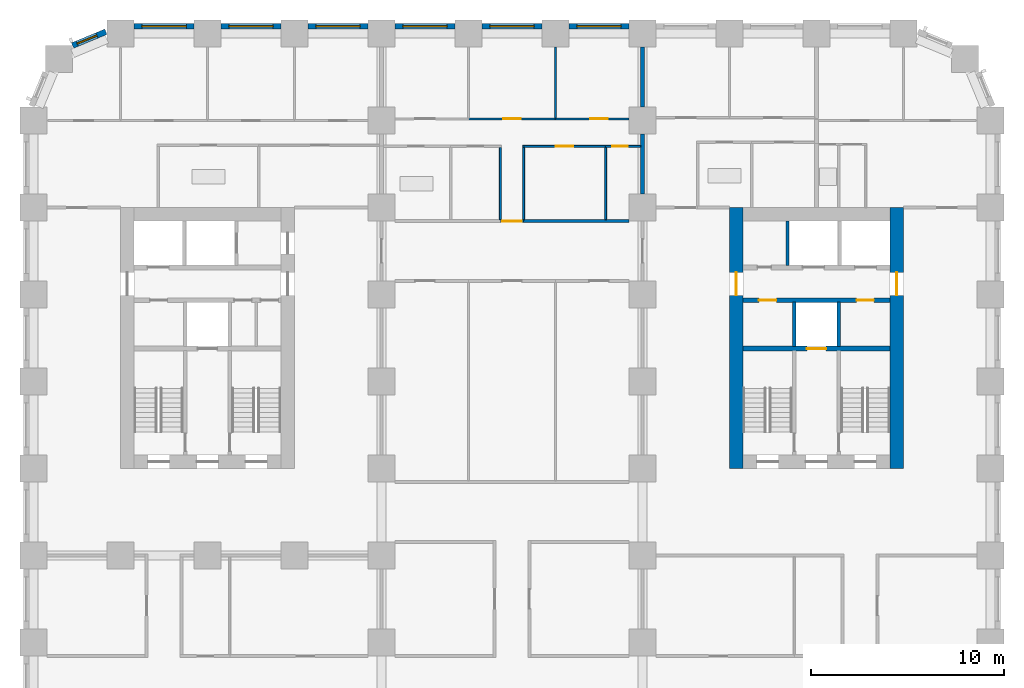
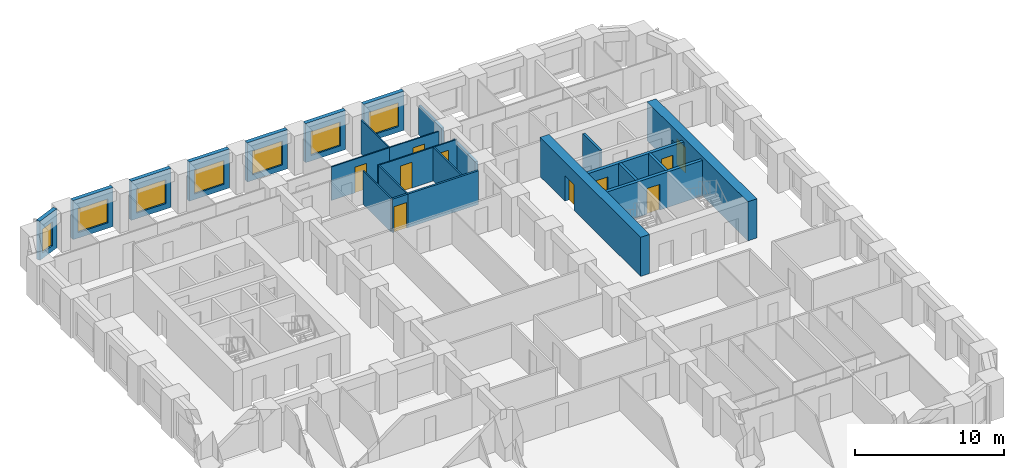
# One storey, part 8 of 13: 26 walls, 10 doors, 7 windows, 17 openings.
"""IFC4 building model written with IfcOpenShell, lengths in metres."""

import ifcopenshell
import ifcopenshell.guid

model = None  # the IFC model being written
_history = None  # IfcOwnerHistory: only IFC2X3 demands one
_inside = {}  # id of a spatial element -> (the spatial element, [elements in it])
_under = {}  # id of a project, library or spatial element -> (it, [spatial elements below it])
_declared = {}  # id of a project -> (the project, [libraries it declares])
_typed = {}  # id of a type object -> (the type object, [elements of that type])
_made_of = {}  # id of a material, layer set ... -> (it, [elements and type objects made of it])


def new_model(schema):
    """Start an empty IFC model of exactly this schema.

    Asked for "IFC4X3", IfcOpenShell would pick the latest addendum, in which some entities
    have other attributes; the version numbers below select the first issue.
    IFC2X3 requires an IfcOwnerHistory on every rooted entity: one is made here for all.
    """
    global model, _history
    if schema == "IFC4X3":
        model = ifcopenshell.file(schema_version=(4, 3, 0, 0))
    else:
        model = ifcopenshell.file(schema=schema)
    _inside.clear()
    _under.clear()
    _declared.clear()
    _typed.clear()
    _made_of.clear()
    _history = None
    if model.schema == "IFC2X3":
        org = make("IfcOrganization", Name="unknown")
        user = make(
            "IfcPersonAndOrganization",
            ThePerson=make("IfcPerson", FamilyName="unknown"),
            TheOrganization=org,
        )
        app = make(
            "IfcApplication",
            ApplicationDeveloper=org,
            Version="unknown",
            ApplicationFullName="unknown",
            ApplicationIdentifier="unknown",
        )
        _history = make(
            "IfcOwnerHistory",
            OwningUser=user,
            OwningApplication=app,
            ChangeAction="ADDED",
            CreationDate=0,
        )
    return model


def make(cls, **values):
    """One entity of the class cls with the attributes given. An attribute that is None is left unset."""
    return model.create_entity(
        cls, **{name: value for name, value in values.items() if value is not None}
    )


def rooted(cls, **values):
    """An entity with a GlobalId (a new one), such as an element, a storey or a relation."""
    return make(cls, GlobalId=ifcopenshell.guid.new(), OwnerHistory=_history, **values)


def si_unit(unit_type, name, prefix=None):
    """IfcSIUnit, for example si_unit("LENGTHUNIT", "METRE", prefix="MILLI")."""
    return make("IfcSIUnit", UnitType=unit_type, Prefix=prefix, Name=name)


def assignment(units):
    """IfcUnitAssignment: the units of a project."""
    return None if units is None else make("IfcUnitAssignment", Units=units)


def point(xyz):
    """IfcCartesianPoint."""
    return None if xyz is None else make("IfcCartesianPoint", Coordinates=xyz)


def direction(xyz):
    """IfcDirection."""
    return None if xyz is None else make("IfcDirection", DirectionRatios=xyz)


def frame(location, z_axis=None, x_axis=None):
    """IfcAxis2Placement3D, a coordinate frame: its origin and axes. An axis left out is left unset."""
    return make(
        "IfcAxis2Placement3D",
        Location=point(location),
        Axis=direction(z_axis),
        RefDirection=direction(x_axis),
    )


def frame_2d(location, x_axis=None):
    """IfcAxis2Placement2D, a coordinate frame in the plane: its origin and x axis."""
    return make(
        "IfcAxis2Placement2D", Location=point(location), RefDirection=direction(x_axis)
    )


def origin():
    """The frame at (0, 0, 0) with its axes left unset."""
    return frame((0.0, 0.0, 0.0))


def place(relative_to, where):
    """IfcLocalPlacement: puts the frame where relative to a parent placement (None: the world)."""
    return make(
        "IfcLocalPlacement", PlacementRelTo=relative_to, RelativePlacement=where
    )


def context(
    kind, dimensions, precision=None, world=None, true_north=None, identifier=None
):
    """IfcGeometricRepresentationContext, for example the 3D "Model" context."""
    return make(
        "IfcGeometricRepresentationContext",
        ContextIdentifier=identifier,
        ContextType=kind,
        CoordinateSpaceDimension=dimensions,
        Precision=precision,
        WorldCoordinateSystem=world,
        TrueNorth=true_north,
    )


def subcontext(parent, identifier, kind, view, scale=None):
    """IfcGeometricRepresentationSubContext, for example "Body" below "Model"."""
    return make(
        "IfcGeometricRepresentationSubContext",
        ContextIdentifier=identifier,
        ContextType=kind,
        ParentContext=parent,
        TargetScale=scale,
        TargetView=view,
    )


def project(units=None, contexts=None):
    """IfcProject with its units and contexts."""
    return rooted(
        "IfcProject",
        Name="project",
        RepresentationContexts=contexts,
        UnitsInContext=assignment(units),
    )


def spatial(cls, under=None, at=None, **own):
    """A site, building, storey or space (cls), placed at a placement, below another one or the project."""
    s = rooted(cls, ObjectPlacement=at, **own)
    if under is not None:
        _under.setdefault(under.id(), (under, []))[1].append(s)
    return s


def profile(cls, at=None, kind="AREA", **sizes):
    """A parametric profile (cls). Its sizes go by their IFC names, for example OverallWidth=200.0."""
    return make(cls, ProfileType=kind, Position=at, **sizes)


def rectangle(**sizes):
    """IfcRectangleProfileDef."""
    return profile("IfcRectangleProfileDef", **sizes)


def extrude(swept, where, along, depth):
    """IfcExtrudedAreaSolid: the profile swept, set in the frame where, extruded along a direction by depth."""
    return make(
        "IfcExtrudedAreaSolid",
        SweptArea=swept,
        Position=where,
        ExtrudedDirection=direction(along),
        Depth=depth,
    )


def shape(context_of_items, identifier, shape_type, items):
    """IfcShapeRepresentation: the items that make up one representation, for example the "Body"."""
    return make(
        "IfcShapeRepresentation",
        ContextOfItems=context_of_items,
        RepresentationIdentifier=identifier,
        RepresentationType=shape_type,
        Items=items,
    )


def material(Name=None, Category=None):
    """IfcMaterial."""
    return make("IfcMaterial", Name=Name, Category=Category)


def layer(
    of_material, thickness, ventilated=None, Name=None, Category=None, Priority=None
):
    """IfcMaterialLayer: one layer of a wall or slab, of a material (None: an air gap)."""
    return make(
        "IfcMaterialLayer",
        Material=of_material,
        LayerThickness=thickness,
        IsVentilated=ventilated,
        Name=Name,
        Category=Category,
        Priority=Priority,
    )


def layer_set(layers, Name=None):
    """IfcMaterialLayerSet."""
    return make("IfcMaterialLayerSet", MaterialLayers=layers, LayerSetName=Name)


def made_of(thing, what):
    """Note that an element or type object is made of a material, layer set ...; save() writes the relation."""
    if what is not None:
        _made_of.setdefault(what.id(), (what, []))[1].append(thing)
    return thing


def type_object(cls, material=None, **own):
    """A type object (cls), such as IfcWallType, which elements share."""
    return made_of(rooted(cls, **own), material)


def element(
    cls,
    number,
    at=None,
    inside=None,
    cuts=None,
    type_object=None,
    material=None,
    context=None,
    identifier="Body",
    shape_type=None,
    held_by="IfcProductDefinitionShape",
    body=None,
    shapes=None,
    **own,
):
    """One element of the class cls, such as IfcWall. Its Tag is "e" and its number.

    at: its placement. inside: the storey or other place that contains it. cuts: it is an
    opening in that element (IfcRelVoidsElement). A single representation is given by context,
    identifier, shape_type and body (its items); several are given by shapes. held_by: the class
    of the entity that holds the representations. save() writes the other relations.
    """
    e = rooted(cls, Tag="e%d" % number, ObjectPlacement=at, **own)
    if body is not None:
        shapes = [shape(context, identifier, shape_type, body)]
    if shapes is not None:
        e.Representation = make(held_by, Representations=shapes)
    if inside is not None:
        _inside.setdefault(inside.id(), (inside, []))[1].append(e)
    if cuts is not None:
        rooted(
            "IfcRelVoidsElement", RelatingBuildingElement=cuts, RelatedOpeningElement=e
        )
    if type_object is not None:
        _typed.setdefault(type_object.id(), (type_object, []))[1].append(e)
    return made_of(e, material)


def fill(opening, filler):
    """IfcRelFillsElement: the door or window that sits in an opening."""
    return rooted(
        "IfcRelFillsElement",
        RelatingOpeningElement=opening,
        RelatedBuildingElement=filler,
    )


def aggregate(whole, parts):
    """IfcRelAggregates: a whole, such as a stair, and the parts it consists of."""
    return rooted("IfcRelAggregates", RelatingObject=whole, RelatedObjects=parts)


def save(model, path):
    """Write the relations noted so far, then the file.

    IfcRelAggregates (storeys below a building ...), IfcRelContainedInSpatialStructure (elements
    in a storey), IfcRelDefinesByType, IfcRelAssociatesMaterial and IfcRelDeclares: one each for
    every whole, place, type object, material and project.
    """
    for whole, parts in _under.values():
        aggregate(whole, parts)
    for where, things in _inside.values():
        rooted(
            "IfcRelContainedInSpatialStructure",
            RelatedElements=things,
            RelatingStructure=where,
        )
    for kind, things in _typed.values():
        rooted("IfcRelDefinesByType", RelatedObjects=things, RelatingType=kind)
    for what, things in _made_of.values():
        rooted("IfcRelAssociatesMaterial", RelatedObjects=things, RelatingMaterial=what)
    for by, libraries in _declared.values():
        rooted("IfcRelDeclares", RelatingContext=by, RelatedDefinitions=libraries)
    model.write(path)


model = new_model("IFC4")

# Units and contexts
model_context = context("Model", 3, precision=1e-05, world=origin(), true_north=direction((0.0, 1.0)))
body_context = subcontext(model_context, "Body", "Model", "MODEL_VIEW")
ifc_project = project(units=[si_unit("LENGTHUNIT", "METRE"), si_unit("AREAUNIT", "SQUARE_METRE"), si_unit("VOLUMEUNIT", "CUBIC_METRE"), si_unit("PLANEANGLEUNIT", "RADIAN"), si_unit("MASSUNIT", "GRAM", prefix="KILO")], contexts=[model_context])

# Site, building, storey
site_placement = place(None, origin())
site = spatial("IfcSite", under=ifc_project, at=site_placement, CompositionType="ELEMENT")
building_placement = place(site_placement, origin())
building = spatial("IfcBuilding", under=site, at=building_placement, Name="Girih Gate Residences", CompositionType="ELEMENT")
storey_placement = place(building_placement, frame((0.0, 0.0, 49.60009765625)))
storey = spatial("IfcBuildingStorey", under=building, at=storey_placement, Name="L12", CompositionType="ELEMENT", Elevation=49.60009765625)

# Wall, opening, door
ifc_material_1 = material(Name="Gypsum board on steel studs", Category="steel")
ifc_layer_1 = layer(ifc_material_1, 0.14990234375)
ifc_layer_set_1 = layer_set([ifc_layer_1], Name="Compartment wall 150 mm")
wall_type_1 = type_object("IfcWallType", Name="Compartment wall 150 mm", PredefinedType="PARTITIONING", material=ifc_layer_set_1)
wall_1_placement = place(storey_placement, frame((24.14990234375, 39.800048828125, 0.0), z_axis=(0.0, 0.0, 1.0), x_axis=(1.0, 0.0, 0.0)))
wall_1 = element("IfcWall", 1, at=wall_1_placement, inside=storey, type_object=wall_type_1, Name="L12 partition", PredefinedType="PARTITIONING", context=body_context, shape_type="SweptSolid", body=[
    extrude(rectangle(XDim=1.2001953125, YDim=0.14990234375, at=frame_2d((0.60009765625, 0.0))), origin(), (0.0, 0.0, 1.0), 2.75),
])
opening_1_placement = place(wall_1_placement, frame((0.10009765625, 0.0, 0.0)))
opening_1 = element("IfcOpeningElement", 2, at=opening_1_placement, cuts=wall_1, Name="Opening A12-046", PredefinedType="OPENING", context=body_context, shape_type="SweptSolid", body=[
    extrude(rectangle(XDim=1.0, YDim=2.10009765625, at=frame_2d((0.5, 1.050048828125))), frame((0.0, 0.0849609375, 0.0), z_axis=(0.0, -1.0, 0.0), x_axis=(1.0, 0.0, 0.0)), (0.0, 0.0, 1.0), 0.169921875),
])
ifc_material_2 = material(Name="Timber, fire-rated core", Category="wood")
door_type_1 = type_object("IfcDoorType", Name="Flat entrance door 1000x2100 FD30S", OperationType="NOTDEFINED", PredefinedType="DOOR", material=ifc_material_2)
door_1_placement = place(opening_1_placement, origin())
door_1 = element("IfcDoor", 3, at=door_1_placement, inside=storey, type_object=door_type_1, Name="Door A12-046", OperationType="SINGLE_SWING_RIGHT", OverallHeight=2.10009765625, OverallWidth=1.0, PredefinedType="DOOR", context=body_context, shape_type="SweptSolid", body=[
    extrude(rectangle(XDim=1.0, YDim=2.10009765625, at=frame_2d((0.5, 1.050048828125))), frame((0.0, 0.02490234375, 0.0), z_axis=(0.0, -1.0, 0.0), x_axis=(1.0, 0.0, 0.0)), (0.0, 0.0, 1.0), 0.050048828125),
])
fill(opening_1, door_1)

# Wall
wall_2_placement = place(storey_placement, frame((25.35009765625, 39.800048828125, 0.0), z_axis=(0.0, 0.0, 1.0), x_axis=(1.0, 0.0, 0.0)))
element("IfcWall", 4, at=wall_2_placement, inside=storey, type_object=wall_type_1, Name="L12 partition", PredefinedType="PARTITIONING", context=body_context, shape_type="SweptSolid", body=[
    extrude(rectangle(XDim=5.449951171875, YDim=0.14990234375, at=frame_2d((2.72509765625, 0.0))), origin(), (0.0, 0.0, 1.0), 2.75),
])

# Wall, opening, door
ifc_material_3 = material(Name="Concrete C60/75", Category="concrete")
ifc_layer_2 = layer(ifc_material_3, 0.699951171875)
ifc_layer_set_2 = layer_set([ifc_layer_2], Name="Core wall RC 700 Concrete C60/75")
wall_type_2 = type_object("IfcWallType", Name="Core wall RC 700 Concrete C60/75", PredefinedType="SOLIDWALL", material=ifc_layer_set_2)
wall_3_placement = place(storey_placement, frame((36.35009765625, 27.0, 0.0), z_axis=(0.0, 0.0, 1.0), x_axis=(0.0, 1.0, 0.0)))
wall_3 = element("IfcWall", 5, at=wall_3_placement, inside=storey, type_object=wall_type_2, Name="Core wall E-W L12", PredefinedType="SOLIDWALL", context=body_context, shape_type="SweptSolid", body=[
    extrude(rectangle(XDim=13.5, YDim=0.699951171875, at=frame_2d((6.75, 0.0))), origin(), (0.0, 0.0, 1.0), 3.199951171875),
])
opening_2_placement = place(wall_3_placement, frame((8.949951171875, 0.0, 0.0)))
opening_2 = element("IfcOpeningElement", 6, at=opening_2_placement, cuts=wall_3, Name="Opening D-L12-E-012", PredefinedType="OPENING", context=body_context, shape_type="SweptSolid", body=[
    extrude(rectangle(XDim=1.199951171875, YDim=2.10009765625, at=frame_2d((0.60009765625, 1.050048828125))), frame((0.0, 0.35986328125, 0.0), z_axis=(0.0, -1.0, 0.0), x_axis=(1.0, 0.0, 0.0)), (0.0, 0.0, 1.0), 0.719970703125),
])
ifc_material_4 = material(Name="Painted steel, fire-resisting", Category="steel")
door_type_2 = type_object("IfcDoorType", Name="Fire door 1200x2100", OperationType="SINGLE_SWING_LEFT", PredefinedType="DOOR", material=ifc_material_4)
door_2_placement = place(opening_2_placement, origin())
door_2 = element("IfcDoor", 7, at=door_2_placement, inside=storey, type_object=door_type_2, Name="L12 E core door ll-w", OperationType="SINGLE_SWING_LEFT", OverallHeight=2.10009765625, OverallWidth=1.199951171875, PredefinedType="DOOR", context=body_context, shape_type="SweptSolid", body=[
    extrude(rectangle(XDim=1.199951171875, YDim=2.10009765625, at=frame_2d((0.60009765625, 1.050048828125))), frame((0.0, 0.02490234375, 0.0), z_axis=(0.0, -1.0, 0.0), x_axis=(1.0, 0.0, 0.0)), (0.0, 0.0, 1.0), 0.050048828125),
])
fill(opening_2, door_2)

wall_4_placement = place(storey_placement, frame((44.64990234375, 27.0, 0.0), z_axis=(0.0, 0.0, 1.0), x_axis=(0.0, 1.0, 0.0)))
wall_4 = element("IfcWall", 8, at=wall_4_placement, inside=storey, type_object=wall_type_2, Name="Core wall E-E L12", PredefinedType="SOLIDWALL", context=body_context, shape_type="SweptSolid", body=[
    extrude(rectangle(XDim=13.5, YDim=0.699951171875, at=frame_2d((6.75, 0.0))), origin(), (0.0, 0.0, 1.0), 3.199951171875),
])
opening_3_placement = place(wall_4_placement, frame((8.949951171875, 0.0, 0.0)))
opening_3 = element("IfcOpeningElement", 9, at=opening_3_placement, cuts=wall_4, Name="Opening D-L12-E-013", PredefinedType="OPENING", context=body_context, shape_type="SweptSolid", body=[
    extrude(rectangle(XDim=1.199951171875, YDim=2.10009765625, at=frame_2d((0.60009765625, 1.050048828125))), frame((0.0, 0.35986328125, 0.0), z_axis=(0.0, -1.0, 0.0), x_axis=(1.0, 0.0, 0.0)), (0.0, 0.0, 1.0), 0.719970703125),
])
door_3_placement = place(opening_3_placement, origin())
door_3 = element("IfcDoor", 10, at=door_3_placement, inside=storey, type_object=door_type_2, Name="L12 E core door ll-e", OperationType="SINGLE_SWING_LEFT", OverallHeight=2.10009765625, OverallWidth=1.199951171875, PredefinedType="DOOR", context=body_context, shape_type="SweptSolid", body=[
    extrude(rectangle(XDim=1.199951171875, YDim=2.10009765625, at=frame_2d((0.60009765625, 1.050048828125))), frame((0.0, 0.02490234375, 0.0), z_axis=(0.0, -1.0, 0.0), x_axis=(1.0, 0.0, 0.0)), (0.0, 0.0, 1.0), 0.050048828125),
])
fill(opening_3, door_3)

ifc_material_5 = material(Name="Concrete C40/50", Category="concrete")
ifc_layer_3 = layer(ifc_material_5, 0.25)
ifc_layer_set_3 = layer_set([ifc_layer_3], Name="Lift shaft wall 250")
wall_type_3 = type_object("IfcWallType", Name="Lift shaft wall 250", PredefinedType="SOLIDWALL", material=ifc_layer_set_3)
wall_5_placement = place(storey_placement, frame((36.699951171875, 33.199951171875, 0.0), z_axis=(0.0, 0.0, 1.0), x_axis=(1.0, 0.0, 0.0)))
wall_5 = element("IfcWall", 11, at=wall_5_placement, inside=storey, type_object=wall_type_3, Name="L12 E core wall H1", PredefinedType="SOLIDWALL", context=body_context, shape_type="SweptSolid", body=[
    extrude(rectangle(XDim=7.60009765625, YDim=0.25, at=frame_2d((3.800048828125, 0.0))), origin(), (0.0, 0.0, 1.0), 2.89990234375),
])
opening_4_placement = place(wall_5_placement, frame((3.300048828125, 0.0, 0.0)))
opening_4 = element("IfcOpeningElement", 12, at=opening_4_placement, cuts=wall_5, Name="Opening D-L12-E-005", PredefinedType="OPENING", context=body_context, shape_type="SweptSolid", body=[
    extrude(rectangle(XDim=1.0, YDim=2.10009765625, at=frame_2d((0.5, 1.050048828125))), frame((0.0, 0.135009765625, 0.0), z_axis=(0.0, -1.0, 0.0), x_axis=(1.0, 0.0, 0.0)), (0.0, 0.0, 1.0), 0.27001953125),
])
ifc_material_6 = material(Name="Stainless steel, fire-resisting", Category="steel")
door_type_3 = type_object("IfcDoorType", Name="Firefighting lift landing door 1000x2100", OperationType="SLIDING_TO_LEFT", PredefinedType="DOOR", material=ifc_material_6)
door_4_placement = place(opening_4_placement, origin())
door_4 = element("IfcDoor", 13, at=door_4_placement, inside=storey, type_object=door_type_3, Name="L12 lift FF-E landing door", OperationType="SLIDING_TO_LEFT", OverallHeight=2.10009765625, OverallWidth=1.0, PredefinedType="DOOR", context=body_context, shape_type="SweptSolid", body=[
    extrude(rectangle(XDim=1.0, YDim=2.10009765625, at=frame_2d((0.5, 1.050048828125))), frame((0.0, 0.02490234375, 0.0), z_axis=(0.0, -1.0, 0.0), x_axis=(1.0, 0.0, 0.0)), (0.0, 0.0, 1.0), 0.050048828125),
])
fill(opening_4, door_4)

# Wall, openings, doors
wall_6_placement = place(storey_placement, frame((36.699951171875, 35.699951171875, 0.0), z_axis=(0.0, 0.0, 1.0), x_axis=(1.0, 0.0, 0.0)))
wall_6 = element("IfcWall", 14, at=wall_6_placement, inside=storey, type_object=wall_type_3, Name="L12 E core wall H2", PredefinedType="SOLIDWALL", context=body_context, shape_type="SweptSolid", body=[
    extrude(rectangle(XDim=7.60009765625, YDim=0.25, at=frame_2d((3.800048828125, 0.0))), origin(), (0.0, 0.0, 1.0), 2.89990234375),
])
opening_5_placement = place(wall_6_placement, frame((5.875, 0.0, 0.0)))
opening_5 = element("IfcOpeningElement", 15, at=opening_5_placement, cuts=wall_6, Name="Opening D-L12-E-007", PredefinedType="OPENING", context=body_context, shape_type="SweptSolid", body=[
    extrude(rectangle(XDim=0.89990234375, YDim=2.10009765625, at=frame_2d((0.449951171875, 1.050048828125))), frame((0.0, 0.135009765625, 0.0), z_axis=(0.0, -1.0, 0.0), x_axis=(1.0, 0.0, 0.0)), (0.0, 0.0, 1.0), 0.27001953125),
])
opening_6_placement = place(wall_6_placement, frame((0.824951171875, 0.0, 0.0)))
opening_6 = element("IfcOpeningElement", 16, at=opening_6_placement, cuts=wall_6, Name="Opening D-L12-E-008", PredefinedType="OPENING", context=body_context, shape_type="SweptSolid", body=[
    extrude(rectangle(XDim=0.89990234375, YDim=2.10009765625, at=frame_2d((0.449951171875, 1.050048828125))), frame((0.0, 0.135009765625, 0.0), z_axis=(0.0, -1.0, 0.0), x_axis=(1.0, 0.0, 0.0)), (0.0, 0.0, 1.0), 0.27001953125),
])
door_type_4 = type_object("IfcDoorType", Name="Fire door 900x2100", OperationType="SINGLE_SWING_LEFT", PredefinedType="DOOR", material=ifc_material_4)
door_5_placement = place(opening_5_placement, origin())
door_5 = element("IfcDoor", 17, at=door_5_placement, inside=storey, type_object=door_type_4, Name="L12 E refuse store door", OperationType="SINGLE_SWING_LEFT", OverallHeight=2.10009765625, OverallWidth=0.89990234375, PredefinedType="DOOR", context=body_context, shape_type="SweptSolid", body=[
    extrude(rectangle(XDim=0.89990234375, YDim=2.10009765625, at=frame_2d((0.449951171875, 1.050048828125))), frame((0.0, 0.02490234375, 0.0), z_axis=(0.0, -1.0, 0.0), x_axis=(1.0, 0.0, 0.0)), (0.0, 0.0, 1.0), 0.050048828125),
])
fill(opening_5, door_5)
door_6_placement = place(opening_6_placement, origin())
door_6 = element("IfcDoor", 18, at=door_6_placement, inside=storey, type_object=door_type_4, Name="L12 E maintenance store door", OperationType="SINGLE_SWING_LEFT", OverallHeight=2.10009765625, OverallWidth=0.89990234375, PredefinedType="DOOR", context=body_context, shape_type="SweptSolid", body=[
    extrude(rectangle(XDim=0.89990234375, YDim=2.10009765625, at=frame_2d((0.449951171875, 1.050048828125))), frame((0.0, 0.02490234375, 0.0), z_axis=(0.0, -1.0, 0.0), x_axis=(1.0, 0.0, 0.0)), (0.0, 0.0, 1.0), 0.050048828125),
])
fill(opening_6, door_6)

# Wall
ifc_layer_4 = layer(ifc_material_1, 0.10009765625)
ifc_layer_set_4 = layer_set([ifc_layer_4], Name="Partition 100 mm")
wall_type_4 = type_object("IfcWallType", Name="Partition 100 mm", PredefinedType="PARTITIONING", material=ifc_layer_set_4)
wall_7_placement = place(storey_placement, frame((27.0, 45.1298828125, 0.0), z_axis=(0.0, 0.0, 1.0), x_axis=(0.0, 1.0, 0.0)))
element("IfcWall", 19, at=wall_7_placement, inside=storey, type_object=wall_type_4, Name="L12 partition", PredefinedType="PARTITIONING", context=body_context, shape_type="SweptSolid", body=[
    extrude(rectangle(XDim=3.670166015625, YDim=0.10009765625, at=frame_2d((1.8349609375, 0.0))), origin(), (0.0, 0.0, 1.0), 2.75),
])

# Wall, opening, door
wall_8_placement = place(storey_placement, frame((22.5, 45.080078125, 0.0), z_axis=(0.0, 0.0, 1.0), x_axis=(1.0, 0.0, 0.0)))
wall_8 = element("IfcWall", 20, at=wall_8_placement, inside=storey, type_object=wall_type_4, Name="L12 partition", PredefinedType="PARTITIONING", context=body_context, shape_type="SweptSolid", body=[
    extrude(rectangle(XDim=4.5, YDim=0.10009765625, at=frame_2d((2.25, 0.0))), origin(), (0.0, 0.0, 1.0), 2.75),
])
opening_7_placement = place(wall_8_placement, frame((1.800048828125, 0.0, 0.0)))
opening_7 = element("IfcOpeningElement", 21, at=opening_7_placement, cuts=wall_8, Name="Opening A12-040", PredefinedType="OPENING", context=body_context, shape_type="SweptSolid", body=[
    extrude(rectangle(XDim=0.89990234375, YDim=2.10009765625, at=frame_2d((0.449951171875, 1.050048828125))), frame((0.0, 0.06005859375, 0.0), z_axis=(0.0, -1.0, 0.0), x_axis=(1.0, 0.0, 0.0)), (0.0, 0.0, 1.0), 0.1201171875),
])
ifc_material_7 = material(Name="Timber", Category="wood")
door_type_5 = type_object("IfcDoorType", Name="Bedroom door 900x2100", OperationType="NOTDEFINED", PredefinedType="DOOR", material=ifc_material_7)
door_7_placement = place(opening_7_placement, origin())
door_7 = element("IfcDoor", 22, at=door_7_placement, inside=storey, type_object=door_type_5, Name="Door A12-040", OperationType="SINGLE_SWING_LEFT", OverallHeight=2.10009765625, OverallWidth=0.89990234375, PredefinedType="DOOR", context=body_context, shape_type="SweptSolid", body=[
    extrude(rectangle(XDim=0.89990234375, YDim=2.10009765625, at=frame_2d((0.449951171875, 1.050048828125))), frame((0.0, 0.02490234375, 0.0), z_axis=(0.0, -1.0, 0.0), x_axis=(1.0, 0.0, 0.0)), (0.0, 0.0, 1.0), 0.050048828125),
])
fill(opening_7, door_7)

wall_9_placement = place(storey_placement, frame((27.0, 45.080078125, 0.0), z_axis=(0.0, 0.0, 1.0), x_axis=(1.0, 0.0, 0.0)))
wall_9 = element("IfcWall", 23, at=wall_9_placement, inside=storey, type_object=wall_type_4, Name="L12 partition", PredefinedType="PARTITIONING", context=body_context, shape_type="SweptSolid", body=[
    extrude(rectangle(XDim=3.800048828125, YDim=0.10009765625, at=frame_2d((1.89990234375, 0.0))), origin(), (0.0, 0.0, 1.0), 2.75),
])
opening_8_placement = place(wall_9_placement, frame((1.800048828125, 0.0, 0.0)))
opening_8 = element("IfcOpeningElement", 24, at=opening_8_placement, cuts=wall_9, Name="Opening A12-041", PredefinedType="OPENING", context=body_context, shape_type="SweptSolid", body=[
    extrude(rectangle(XDim=0.89990234375, YDim=2.10009765625, at=frame_2d((0.449951171875, 1.050048828125))), frame((0.0, 0.06005859375, 0.0), z_axis=(0.0, -1.0, 0.0), x_axis=(1.0, 0.0, 0.0)), (0.0, 0.0, 1.0), 0.1201171875),
])
door_8_placement = place(opening_8_placement, origin())
door_8 = element("IfcDoor", 25, at=door_8_placement, inside=storey, type_object=door_type_5, Name="Door A12-041", OperationType="SINGLE_SWING_RIGHT", OverallHeight=2.10009765625, OverallWidth=0.89990234375, PredefinedType="DOOR", context=body_context, shape_type="SweptSolid", body=[
    extrude(rectangle(XDim=0.89990234375, YDim=2.10009765625, at=frame_2d((0.449951171875, 1.050048828125))), frame((0.0, 0.02490234375, 0.0), z_axis=(0.0, -1.0, 0.0), x_axis=(1.0, 0.0, 0.0)), (0.0, 0.0, 1.0), 0.050048828125),
])
fill(opening_8, door_8)

wall_10_placement = place(storey_placement, frame((29.58935546875, 43.659912109375, 0.0), z_axis=(0.0, 0.0, 1.0), x_axis=(-1.0, 0.0, 0.0)))
wall_10 = element("IfcWall", 26, at=wall_10_placement, inside=storey, type_object=wall_type_4, Name="L12 partition", PredefinedType="PARTITIONING", context=body_context, shape_type="SweptSolid", body=[
    extrude(rectangle(XDim=4.289306640625, YDim=0.10009765625, at=frame_2d((2.14453125, 0.0))), origin(), (0.0, 0.0, 1.0), 2.75),
])
opening_9_placement = place(wall_10_placement, frame((1.669677734375, 0.0, 0.0)))
opening_9 = element("IfcOpeningElement", 27, at=opening_9_placement, cuts=wall_10, Name="Opening A12-042", PredefinedType="OPENING", context=body_context, shape_type="SweptSolid", body=[
    extrude(rectangle(XDim=0.89990234375, YDim=2.10009765625, at=frame_2d((0.449951171875, 1.050048828125))), frame((0.0, 0.06005859375, 0.0), z_axis=(0.0, -1.0, 0.0), x_axis=(1.0, 0.0, 0.0)), (0.0, 0.0, 1.0), 0.1201171875),
])
door_type_6 = type_object("IfcDoorType", Name="Kitchen door 900x2100", OperationType="NOTDEFINED", PredefinedType="DOOR", material=ifc_material_7)
door_9_placement = place(opening_9_placement, origin())
door_9 = element("IfcDoor", 28, at=door_9_placement, inside=storey, type_object=door_type_6, Name="Door A12-042", OperationType="SINGLE_SWING_LEFT", OverallHeight=2.10009765625, OverallWidth=0.89990234375, PredefinedType="DOOR", context=body_context, shape_type="SweptSolid", body=[
    extrude(rectangle(XDim=0.89990234375, YDim=2.10009765625, at=frame_2d((0.449951171875, 1.050048828125))), frame((0.0, 0.02490234375, 0.0), z_axis=(0.0, -1.0, 0.0), x_axis=(1.0, 0.0, 0.0)), (0.0, 0.0, 1.0), 0.050048828125),
])
fill(opening_9, door_9)

# Wall
wall_11_placement = place(storey_placement, frame((25.35009765625, 39.875, 0.0), z_axis=(0.0, 0.0, 1.0), x_axis=(0.0, 1.0, 0.0)))
element("IfcWall", 29, at=wall_11_placement, inside=storey, type_object=wall_type_4, Name="L12 partition", PredefinedType="PARTITIONING", context=body_context, shape_type="SweptSolid", body=[
    extrude(rectangle(XDim=3.735107421875, YDim=0.10009765625, at=frame_2d((1.86767578125, 0.0))), origin(), (0.0, 0.0, 1.0), 2.75),
])

# Wall, opening, door
wall_12_placement = place(storey_placement, frame((31.39990234375, 43.659912109375, 0.0), z_axis=(0.0, 0.0, 1.0), x_axis=(-1.0, 0.0, 0.0)))
wall_12 = element("IfcWall", 30, at=wall_12_placement, inside=storey, type_object=wall_type_4, Name="L12 partition", PredefinedType="PARTITIONING", context=body_context, shape_type="SweptSolid", body=[
    extrude(rectangle(XDim=1.810546875, YDim=0.10009765625, at=frame_2d((0.9052734375, 0.0))), origin(), (0.0, 0.0, 1.0), 2.75),
])
opening_10_placement = place(wall_12_placement, frame((0.6552734375, 0.0, 0.0)))
opening_10 = element("IfcOpeningElement", 31, at=opening_10_placement, cuts=wall_12, Name="Opening A12-044", PredefinedType="OPENING", context=body_context, shape_type="SweptSolid", body=[
    extrude(rectangle(XDim=0.800048828125, YDim=2.10009765625, at=frame_2d((0.39990234375, 1.050048828125))), frame((0.0, 0.06005859375, 0.0), z_axis=(0.0, -1.0, 0.0), x_axis=(1.0, 0.0, 0.0)), (0.0, 0.0, 1.0), 0.1201171875),
])
door_type_7 = type_object("IfcDoorType", Name="Store door 800x2100", OperationType="NOTDEFINED", PredefinedType="DOOR", material=ifc_material_7)
door_10_placement = place(opening_10_placement, origin())
door_10 = element("IfcDoor", 32, at=door_10_placement, inside=storey, type_object=door_type_7, Name="Door A12-044", OperationType="SINGLE_SWING_RIGHT", OverallHeight=2.10009765625, OverallWidth=0.800048828125, PredefinedType="DOOR", context=body_context, shape_type="SweptSolid", body=[
    extrude(rectangle(XDim=0.800048828125, YDim=2.10009765625, at=frame_2d((0.39990234375, 1.050048828125))), frame((0.0, 0.02490234375, 0.0), z_axis=(0.0, -1.0, 0.0), x_axis=(1.0, 0.0, 0.0)), (0.0, 0.0, 1.0), 0.050048828125),
])
fill(opening_10, door_10)

# Walls
for number, where, z_axis, x_axis, name in (
    (33, (24.14990234375, 39.875, 0.0), (0.0, 0.0, 1.0), (0.0, 1.0, 0.0), "L12 partition"),
    (34, (29.589111328125, 39.875, 0.0), (0.0, 0.0, 1.0), (0.0, 1.0, 0.0), "L12 partition"),
):
    element("IfcWall", number, at=place(storey_placement, frame(where, z_axis=z_axis, x_axis=x_axis)), inside=storey, type_object=wall_type_4, Name=name, PredefinedType="PARTITIONING", context=body_context, shape_type="SweptSolid", body=[
        extrude(rectangle(XDim=3.735107421875, YDim=0.10009765625, at=frame_2d((1.86767578125, 0.0))), origin(), (0.0, 0.0, 1.0), 2.75),
    ])
ifc_layer_5 = layer(ifc_material_1, 0.199951171875)
ifc_layer_set_5 = layer_set([ifc_layer_5], Name="Party wall 200 mm")
wall_type_5 = type_object("IfcWallType", Name="Party wall 200 mm", PredefinedType="PARTITIONING", material=ifc_layer_set_5)
for number, where, z_axis, x_axis, name in (
    (35, (31.5, 41.199951171875, 0.0), (0.0, 0.0, 1.0), (0.0, 1.0, 0.0), "L12 partition"),
    (36, (31.5, 45.699951171875, 0.0), (0.0, 0.0, 1.0), (0.0, 1.0, 0.0), "L12 partition"),
):
    element("IfcWall", number, at=place(storey_placement, frame(where, z_axis=z_axis, x_axis=x_axis)), inside=storey, type_object=wall_type_5, Name=name, PredefinedType="PARTITIONING", context=body_context, shape_type="SweptSolid", body=[
        extrude(rectangle(XDim=3.10009765625, YDim=0.199951171875, at=frame_2d((1.550048828125, 0.0))), origin(), (0.0, 0.0, 1.0), 2.3798828125),
    ])

# Wall, opening, window
ifc_material_8 = material(Name="Precast concrete C50/60", Category="concrete")
ifc_layer_6 = layer(ifc_material_8, 0.080078125, Name="Outer leaf")
ifc_material_9 = material(Name="Rigid PIR insulation")
ifc_layer_7 = layer(ifc_material_9, 0.14990234375, Name="Insulation")
ifc_material_10 = material(Name="Precast concrete C40/50", Category="concrete")
ifc_layer_8 = layer(ifc_material_10, 0.070068359375, Name="Inner leaf")
ifc_layer_set_6 = layer_set([ifc_layer_6, ifc_layer_7, ifc_layer_8], Name="Precast concrete C50/60 external wall 300")
wall_type_6 = type_object("IfcWallType", Name="Precast concrete C50/60 external wall 300", PredefinedType="SOLIDWALL", material=ifc_layer_set_6)
wall_13_placement = place(storey_placement, frame((27.699951171875, 49.875, 0.0), z_axis=(0.0, 0.0, 1.0), x_axis=(1.0, 0.0, 0.0)))
wall_13 = element("IfcWall", 37, at=wall_13_placement, inside=storey, type_object=wall_type_6, Name="External wall N0450_0495.3", PredefinedType="SOLIDWALL", context=body_context, shape_type="SweptSolid", body=[
    extrude(rectangle(XDim=3.10009765625, YDim=0.300048828125, at=frame_2d((1.550048828125, 0.0))), origin(), (0.0, 0.0, 1.0), 3.199951171875),
])
opening_11_placement = place(wall_13_placement, frame((0.39990234375, 0.0, 0.449951171875)))
opening_11 = element("IfcOpeningElement", 38, at=opening_11_placement, cuts=wall_13, Name="Opening W-1", PredefinedType="OPENING", context=body_context, shape_type="SweptSolid", body=[
    extrude(rectangle(XDim=2.300048828125, YDim=1.949951171875, at=frame_2d((1.14990234375, 0.97509765625))), frame((0.0, 0.159912109375, 0.0), z_axis=(0.0, -1.0, 0.0), x_axis=(1.0, 0.0, 0.0)), (0.0, 0.0, 1.0), 0.320068359375),
])
ifc_material_11 = material(Name="Double glazing in aluminium frame", Category="aluminium")
window_type_1 = type_object("IfcWindowType", Name="Window W-1 2300x1950", PartitioningType="SINGLE_PANEL", PredefinedType="WINDOW", material=ifc_material_11)
window_1_placement = place(opening_11_placement, origin())
window_1 = element("IfcWindow", 39, at=window_1_placement, inside=storey, type_object=window_type_1, Name="Window W-1 N0450_0495.3", OverallHeight=1.949951171875, OverallWidth=2.300048828125, PartitioningType="SINGLE_PANEL", PredefinedType="WINDOW", context=body_context, shape_type="SweptSolid", body=[
    extrude(rectangle(XDim=2.300048828125, YDim=1.949951171875, at=frame_2d((1.14990234375, 0.97509765625))), frame((0.0, 0.030029296875, 0.0), z_axis=(0.0, -1.0, 0.0), x_axis=(1.0, 0.0, 0.0)), (0.0, 0.0, 1.0), 0.06005859375),
])
fill(opening_11, window_1)

wall_14_placement = place(storey_placement, frame((23.199951171875, 49.875, 0.0), z_axis=(0.0, 0.0, 1.0), x_axis=(1.0, 0.0, 0.0)))
wall_14 = element("IfcWall", 40, at=wall_14_placement, inside=storey, type_object=wall_type_6, Name="External wall N0450_0495.4", PredefinedType="SOLIDWALL", context=body_context, shape_type="SweptSolid", body=[
    extrude(rectangle(XDim=3.10009765625, YDim=0.300048828125, at=frame_2d((1.550048828125, 0.0))), origin(), (0.0, 0.0, 1.0), 3.199951171875),
])
opening_12_placement = place(wall_14_placement, frame((0.39990234375, 0.0, 0.449951171875)))
opening_12 = element("IfcOpeningElement", 41, at=opening_12_placement, cuts=wall_14, Name="Opening W-1", PredefinedType="OPENING", context=body_context, shape_type="SweptSolid", body=[
    extrude(rectangle(XDim=2.300048828125, YDim=1.949951171875, at=frame_2d((1.14990234375, 0.97509765625))), frame((0.0, 0.159912109375, 0.0), z_axis=(0.0, -1.0, 0.0), x_axis=(1.0, 0.0, 0.0)), (0.0, 0.0, 1.0), 0.320068359375),
])
window_2_placement = place(opening_12_placement, origin())
window_2 = element("IfcWindow", 42, at=window_2_placement, inside=storey, type_object=window_type_1, Name="Window W-1 N0450_0495.4", OverallHeight=1.949951171875, OverallWidth=2.300048828125, PartitioningType="SINGLE_PANEL", PredefinedType="WINDOW", context=body_context, shape_type="SweptSolid", body=[
    extrude(rectangle(XDim=2.300048828125, YDim=1.949951171875, at=frame_2d((1.14990234375, 0.97509765625))), frame((0.0, 0.030029296875, 0.0), z_axis=(0.0, -1.0, 0.0), x_axis=(1.0, 0.0, 0.0)), (0.0, 0.0, 1.0), 0.06005859375),
])
fill(opening_12, window_2)

wall_15_placement = place(storey_placement, frame((18.699951171875, 49.875, 0.0), z_axis=(0.0, 0.0, 1.0), x_axis=(1.0, 0.0, 0.0)))
wall_15 = element("IfcWall", 43, at=wall_15_placement, inside=storey, type_object=wall_type_6, Name="External wall N0450_0495.5", PredefinedType="SOLIDWALL", context=body_context, shape_type="SweptSolid", body=[
    extrude(rectangle(XDim=3.10009765625, YDim=0.300048828125, at=frame_2d((1.550048828125, 0.0))), origin(), (0.0, 0.0, 1.0), 3.199951171875),
])
opening_13_placement = place(wall_15_placement, frame((0.39990234375, 0.0, 0.449951171875)))
opening_13 = element("IfcOpeningElement", 44, at=opening_13_placement, cuts=wall_15, Name="Opening W-1", PredefinedType="OPENING", context=body_context, shape_type="SweptSolid", body=[
    extrude(rectangle(XDim=2.300048828125, YDim=1.949951171875, at=frame_2d((1.14990234375, 0.97509765625))), frame((0.0, 0.159912109375, 0.0), z_axis=(0.0, -1.0, 0.0), x_axis=(1.0, 0.0, 0.0)), (0.0, 0.0, 1.0), 0.320068359375),
])
window_3_placement = place(opening_13_placement, origin())
window_3 = element("IfcWindow", 45, at=window_3_placement, inside=storey, type_object=window_type_1, Name="Window W-1 N0450_0495.5", OverallHeight=1.949951171875, OverallWidth=2.300048828125, PartitioningType="SINGLE_PANEL", PredefinedType="WINDOW", context=body_context, shape_type="SweptSolid", body=[
    extrude(rectangle(XDim=2.300048828125, YDim=1.949951171875, at=frame_2d((1.14990234375, 0.97509765625))), frame((0.0, 0.030029296875, 0.0), z_axis=(0.0, -1.0, 0.0), x_axis=(1.0, 0.0, 0.0)), (0.0, 0.0, 1.0), 0.06005859375),
])
fill(opening_13, window_3)

wall_16_placement = place(storey_placement, frame((14.199951171875, 49.875, 0.0), z_axis=(0.0, 0.0, 1.0), x_axis=(1.0, 0.0, 0.0)))
wall_16 = element("IfcWall", 46, at=wall_16_placement, inside=storey, type_object=wall_type_6, Name="External wall N0450_0495.6", PredefinedType="SOLIDWALL", context=body_context, shape_type="SweptSolid", body=[
    extrude(rectangle(XDim=3.10009765625, YDim=0.300048828125, at=frame_2d((1.550048828125, 0.0))), origin(), (0.0, 0.0, 1.0), 3.199951171875),
])
opening_14_placement = place(wall_16_placement, frame((0.39990234375, 0.0, 0.449951171875)))
opening_14 = element("IfcOpeningElement", 47, at=opening_14_placement, cuts=wall_16, Name="Opening W-1", PredefinedType="OPENING", context=body_context, shape_type="SweptSolid", body=[
    extrude(rectangle(XDim=2.300048828125, YDim=1.949951171875, at=frame_2d((1.14990234375, 0.97509765625))), frame((0.0, 0.159912109375, 0.0), z_axis=(0.0, -1.0, 0.0), x_axis=(1.0, 0.0, 0.0)), (0.0, 0.0, 1.0), 0.320068359375),
])
window_4_placement = place(opening_14_placement, origin())
window_4 = element("IfcWindow", 48, at=window_4_placement, inside=storey, type_object=window_type_1, Name="Window W-1 N0450_0495.6", OverallHeight=1.949951171875, OverallWidth=2.300048828125, PartitioningType="SINGLE_PANEL", PredefinedType="WINDOW", context=body_context, shape_type="SweptSolid", body=[
    extrude(rectangle(XDim=2.300048828125, YDim=1.949951171875, at=frame_2d((1.14990234375, 0.97509765625))), frame((0.0, 0.030029296875, 0.0), z_axis=(0.0, -1.0, 0.0), x_axis=(1.0, 0.0, 0.0)), (0.0, 0.0, 1.0), 0.06005859375),
])
fill(opening_14, window_4)

wall_17_placement = place(storey_placement, frame((9.699951171875, 49.875, 0.0), z_axis=(0.0, 0.0, 1.0), x_axis=(1.0, 0.0, 0.0)))
wall_17 = element("IfcWall", 49, at=wall_17_placement, inside=storey, type_object=wall_type_6, Name="External wall N0450_0495.7", PredefinedType="SOLIDWALL", context=body_context, shape_type="SweptSolid", body=[
    extrude(rectangle(XDim=3.10009765625, YDim=0.300048828125, at=frame_2d((1.550048828125, 0.0))), origin(), (0.0, 0.0, 1.0), 3.199951171875),
])
opening_15_placement = place(wall_17_placement, frame((0.39990234375, 0.0, 0.449951171875)))
opening_15 = element("IfcOpeningElement", 50, at=opening_15_placement, cuts=wall_17, Name="Opening W-1", PredefinedType="OPENING", context=body_context, shape_type="SweptSolid", body=[
    extrude(rectangle(XDim=2.300048828125, YDim=1.949951171875, at=frame_2d((1.14990234375, 0.97509765625))), frame((0.0, 0.159912109375, 0.0), z_axis=(0.0, -1.0, 0.0), x_axis=(1.0, 0.0, 0.0)), (0.0, 0.0, 1.0), 0.320068359375),
])
window_5_placement = place(opening_15_placement, origin())
window_5 = element("IfcWindow", 51, at=window_5_placement, inside=storey, type_object=window_type_1, Name="Window W-1 N0450_0495.7", OverallHeight=1.949951171875, OverallWidth=2.300048828125, PartitioningType="SINGLE_PANEL", PredefinedType="WINDOW", context=body_context, shape_type="SweptSolid", body=[
    extrude(rectangle(XDim=2.300048828125, YDim=1.949951171875, at=frame_2d((1.14990234375, 0.97509765625))), frame((0.0, 0.030029296875, 0.0), z_axis=(0.0, -1.0, 0.0), x_axis=(1.0, 0.0, 0.0)), (0.0, 0.0, 1.0), 0.06005859375),
])
fill(opening_15, window_5)

wall_18_placement = place(storey_placement, frame((5.199951171875, 49.875, 0.0), z_axis=(0.0, 0.0, 1.0), x_axis=(1.0, 0.0, 0.0)))
wall_18 = element("IfcWall", 52, at=wall_18_placement, inside=storey, type_object=wall_type_6, Name="External wall N0450_0495.8", PredefinedType="SOLIDWALL", context=body_context, shape_type="SweptSolid", body=[
    extrude(rectangle(XDim=3.10009765625, YDim=0.300048828125, at=frame_2d((1.550048828125, 0.0))), origin(), (0.0, 0.0, 1.0), 3.199951171875),
])
opening_16_placement = place(wall_18_placement, frame((0.39990234375, 0.0, 0.449951171875)))
opening_16 = element("IfcOpeningElement", 53, at=opening_16_placement, cuts=wall_18, Name="Opening W-1", PredefinedType="OPENING", context=body_context, shape_type="SweptSolid", body=[
    extrude(rectangle(XDim=2.300048828125, YDim=1.949951171875, at=frame_2d((1.14990234375, 0.97509765625))), frame((0.0, 0.159912109375, 0.0), z_axis=(0.0, -1.0, 0.0), x_axis=(1.0, 0.0, 0.0)), (0.0, 0.0, 1.0), 0.320068359375),
])
window_6_placement = place(opening_16_placement, origin())
window_6 = element("IfcWindow", 54, at=window_6_placement, inside=storey, type_object=window_type_1, Name="Window W-1 N0450_0495.8", OverallHeight=1.949951171875, OverallWidth=2.300048828125, PartitioningType="SINGLE_PANEL", PredefinedType="WINDOW", context=body_context, shape_type="SweptSolid", body=[
    extrude(rectangle(XDim=2.300048828125, YDim=1.949951171875, at=frame_2d((1.14990234375, 0.97509765625))), frame((0.0, 0.030029296875, 0.0), z_axis=(0.0, -1.0, 0.0), x_axis=(1.0, 0.0, 0.0)), (0.0, 0.0, 1.0), 0.06005859375),
])
fill(opening_16, window_6)

wall_19_placement = place(storey_placement, frame((2.01953125, 48.87841796875, 0.0), z_axis=(0.0, 0.0, 1.0), x_axis=(0.923903565336, 0.38262540684, 0.0)))
wall_19 = element("IfcWall", 55, at=wall_19_placement, inside=storey, type_object=wall_type_6, Name="External wall NW0045_0495.0", PredefinedType="SOLIDWALL", context=body_context, shape_type="SweptSolid", body=[
    extrude(rectangle(XDim=1.864990234375, YDim=0.300048828125, at=frame_2d((0.9326171875, 0.0))), origin(), (0.0, 0.0, 1.0), 3.199951171875),
])
opening_17_placement = place(wall_19_placement, frame((0.257568359375, 0.0, 0.449951171875)))
opening_17 = element("IfcOpeningElement", 56, at=opening_17_placement, cuts=wall_19, Name="Opening W-2C", PredefinedType="OPENING", context=body_context, shape_type="SweptSolid", body=[
    extrude(rectangle(XDim=1.10009765625, YDim=1.949951171875, at=frame_2d((0.550048828125, 0.97509765625))), frame((0.0, 0.159912109375, 0.0), z_axis=(0.0, -1.0, 0.0), x_axis=(1.0, 0.0, 0.0)), (0.0, 0.0, 1.0), 0.320068359375),
])
window_type_2 = type_object("IfcWindowType", Name="Window W-2C 1100x1950", PartitioningType="SINGLE_PANEL", PredefinedType="WINDOW", material=ifc_material_11)
window_7_placement = place(opening_17_placement, origin())
window_7 = element("IfcWindow", 57, at=window_7_placement, inside=storey, type_object=window_type_2, Name="Window W-2C NW0045_0495.0", OverallHeight=1.949951171875, OverallWidth=1.10009765625, PartitioningType="SINGLE_PANEL", PredefinedType="WINDOW", context=body_context, shape_type="SweptSolid", body=[
    extrude(rectangle(XDim=1.10009765625, YDim=1.949951171875, at=frame_2d((0.550048828125, 0.97509765625))), frame((0.0, 0.030029296875, 0.0), z_axis=(0.0, -1.0, 0.0), x_axis=(1.0, 0.0, 0.0)), (0.0, 0.0, 1.0), 0.06005859375),
])
fill(opening_17, window_7)

# Walls
ifc_layer_9 = layer(ifc_material_5, 0.175048828125)
ifc_layer_set_7 = layer_set([ifc_layer_9], Name="Riser shaft wall 175")
wall_type_7 = type_object("IfcWallType", Name="Riser shaft wall 175", PredefinedType="SOLIDWALL", material=ifc_layer_set_7)
wall_20_placement = place(storey_placement, frame((39.0, 37.5, 0.0), z_axis=(0.0, 0.0, 1.0), x_axis=(0.0, 1.0, 0.0)))
element("IfcWall", 58, at=wall_20_placement, inside=storey, type_object=wall_type_7, Name="L12 E core wall V2c", PredefinedType="SOLIDWALL", context=body_context, shape_type="SweptSolid", body=[
    extrude(rectangle(XDim=2.300048828125, YDim=0.175048828125, at=frame_2d((1.14990234375, 0.0))), origin(), (0.0, 0.0, 1.0), 2.89990234375),
])
ifc_layer_10 = layer(ifc_material_5, 0.199951171875)
ifc_layer_set_8 = layer_set([ifc_layer_10], Name="Shaft wall 200")
wall_type_8 = type_object("IfcWallType", Name="Shaft wall 200", PredefinedType="SOLIDWALL", material=ifc_layer_set_8)
for number, where, z_axis, x_axis, name in (
    (59, (41.64990234375, 33.300048828125, 0.0), (0.0, 0.0, 1.0), (0.0, 1.0, 0.0), "L12 E core wall V1b"),
    (60, (39.35009765625, 33.300048828125, 0.0), (0.0, 0.0, 1.0), (0.0, 1.0, 0.0), "L12 E core wall V2b"),
):
    element("IfcWall", number, at=place(storey_placement, frame(where, z_axis=z_axis, x_axis=x_axis)), inside=storey, type_object=wall_type_8, Name=name, PredefinedType="SOLIDWALL", context=body_context, shape_type="SweptSolid", body=[
        extrude(rectangle(XDim=2.300048828125, YDim=0.199951171875, at=frame_2d((1.14990234375, 0.0))), origin(), (0.0, 0.0, 1.0), 2.89990234375),
    ])

save(model, "model.ifc")
